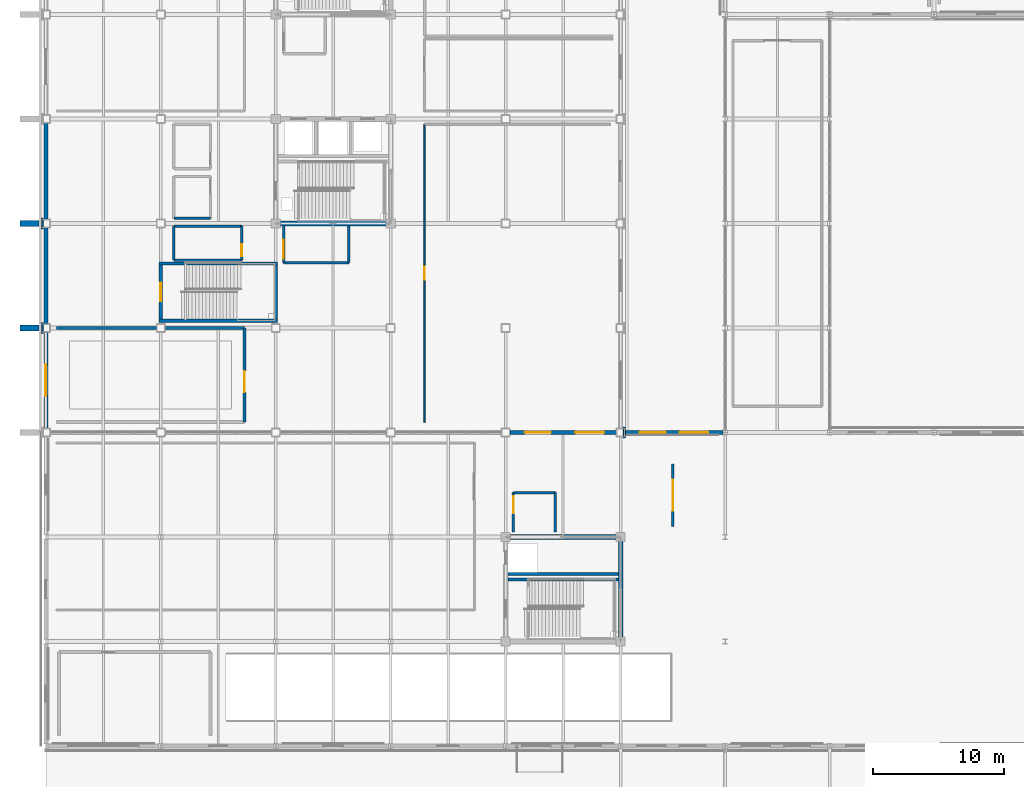
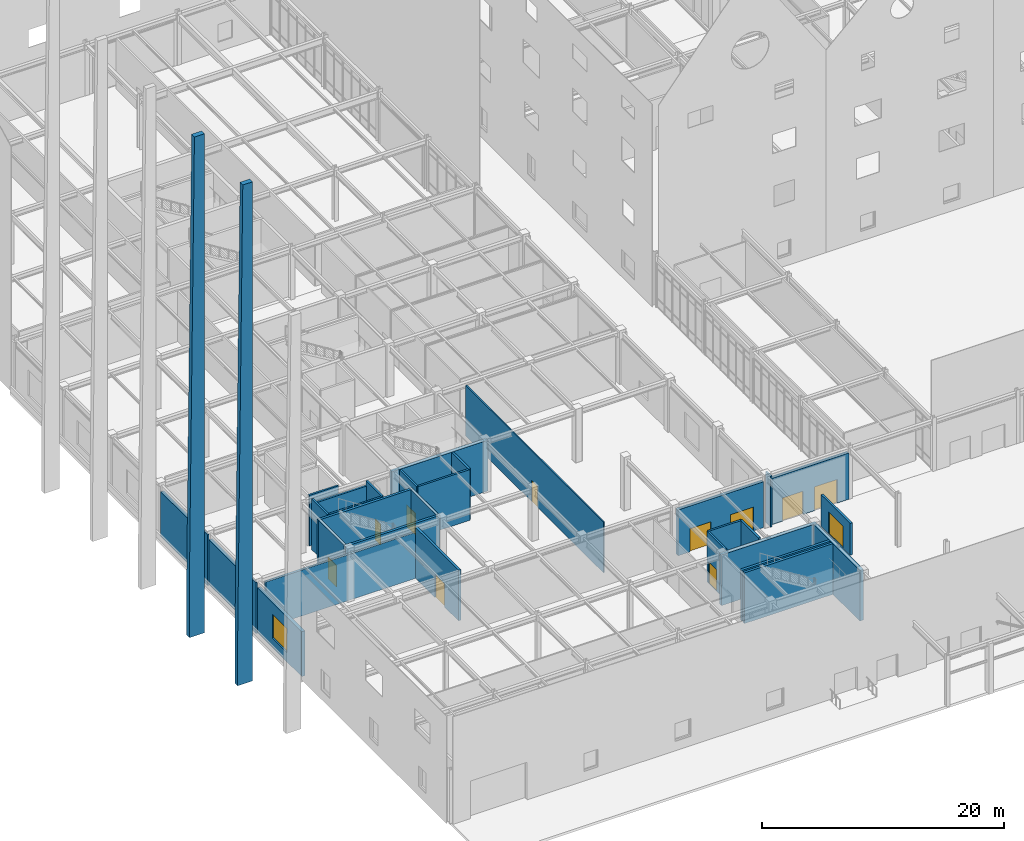
# One storey, part 86 of 119: 34 walls, 11 doors, 1 window, 12 openings.
"""IFC4 building model written with IfcOpenShell, lengths in metres."""

from ifc_helpers import new_model, si_unit, direction, frame, frame_2d, origin, place, context, subcontext, project, spatial, polyline, rectangle, outline, extrude, material, layer, layer_set, type_object, element, fill, save


model = new_model("IFC4")

# Units and contexts
model_context = context("Model", 3, precision=1e-05, world=origin(), true_north=direction((0.0, 1.0)))
body_context = subcontext(model_context, "Body", "Model", "MODEL_VIEW")
ifc_project = project(units=[si_unit("LENGTHUNIT", "METRE"), si_unit("AREAUNIT", "SQUARE_METRE"), si_unit("VOLUMEUNIT", "CUBIC_METRE"), si_unit("PLANEANGLEUNIT", "RADIAN"), si_unit("MASSUNIT", "GRAM", prefix="KILO")], contexts=[model_context])

# Site, building, storey
site_placement = place(None, origin())
site = spatial("IfcSite", under=ifc_project, at=site_placement, CompositionType="ELEMENT")
building_placement = place(site_placement, origin())
building = spatial("IfcBuilding", under=site, at=building_placement, Name="Zhaolan Boulevard Law Courts", CompositionType="ELEMENT")
storey_placement = place(building_placement, origin())
storey = spatial("IfcBuildingStorey", under=building, at=storey_placement, Name="L00", CompositionType="ELEMENT", Elevation=0.0)

# Walls
ifc_material_1 = material(Name="Concrete C50", Category="concrete")
ifc_layer_1 = layer(ifc_material_1, 0.35009765625)
ifc_layer_set_1 = layer_set([ifc_layer_1])
wall_type_1 = type_object("IfcWallType", Name="CORE SHEAR WALL 350", PredefinedType="SHEAR", material=ifc_layer_set_1)
wall_1_placement = place(storey_placement, frame((17.425048828125, 46.0, 0.0), z_axis=(0.0, 0.0, 1.0), x_axis=(1.0, 0.0, 0.0)))
element("IfcWall", 1, at=wall_1_placement, inside=storey, type_object=wall_type_1, Name="Core Shear Wall CW-W1-L00S", PredefinedType="SHEAR", context=body_context, shape_type="SweptSolid", body=[
    extrude(rectangle(XDim=9.14990234375, YDim=0.35009765625, at=frame_2d((4.574951171875, 0.0))), origin(), (0.0, 0.0, 1.0), 5.1201171875),
])
wall_2_placement = place(storey_placement, frame((44.175048828125, 22.0, 0.0), z_axis=(0.0, 0.0, 1.0), x_axis=(-1.0, 0.0, 0.0)))
element("IfcWall", 2, at=wall_2_placement, inside=storey, type_object=wall_type_1, Name="Core Shear Wall CW-P1-L00N", PredefinedType="SHEAR", context=body_context, shape_type="SweptSolid", body=[
    extrude(rectangle(XDim=9.150146484375, YDim=0.35009765625, at=frame_2d((4.5751953125, 0.0))), origin(), (0.0, 0.0, 1.0), 5.1201171875),
])
wall_3_placement = place(storey_placement, frame((44.0, 14.175048828125, 0.0), z_axis=(0.0, 0.0, 1.0), x_axis=(0.0, 1.0, 0.0)))
element("IfcWall", 3, at=wall_3_placement, inside=storey, type_object=wall_type_1, Name="Core Shear Wall CW-P1-L00E", PredefinedType="SHEAR", context=body_context, shape_type="SweptSolid", body=[
    extrude(rectangle(XDim=7.64990234375, YDim=0.35009765625, at=frame_2d((3.824951171875, 0.0))), origin(), (0.0, 0.0, 1.0), 5.1201171875),
])
ifc_material_2 = material(Name="Concrete C40", Category="concrete")
ifc_layer_2 = layer(ifc_material_2, 0.139892578125)
ifc_layer_set_2 = layer_set([ifc_layer_2])
wall_type_2 = type_object("IfcWallType", Name="EXT WALL ARCH CLAD140", PredefinedType="SOLIDWALL", material=ifc_layer_set_2)
for number, where, z_axis, x_axis, name in (
    (4, (44.280029296875, 29.580078125, 0.0), (0.0, 0.0, 1.0), (0.0, 1.0, 0.0), "Concrete Column Cloak Pier CPR-025"),
    (5, (-0.280029296875, 37.580078125, 0.0), (0.0, 0.0, 1.0), (0.0, 1.0, 0.0), "Concrete Column Cloak Pier CPR-026"),
    (6, (-0.280029296875, 45.580078125, 0.0), (0.0, 0.0, 1.0), (0.0, 1.0, 0.0), "Concrete Column Cloak Pier CPR-028"),
):
    element("IfcWall", number, at=place(storey_placement, frame(where, z_axis=z_axis, x_axis=x_axis)), inside=storey, type_object=wall_type_2, Name=name, PredefinedType="SOLIDWALL", context=body_context, shape_type="SweptSolid", body=[
        extrude(rectangle(XDim=0.83984375, YDim=0.139892578125, at=frame_2d((0.419921875, 0.0))), origin(), (0.0, 0.0, 1.0), 5.139892578125),
    ])
ifc_material_3 = material(Name="Concrete C40", Category="concrete")
ifc_layer_3 = layer(ifc_material_3, 0.4599609375)
ifc_layer_set_3 = layer_set([ifc_layer_3])
wall_type_3 = type_object("IfcWallType", Name="EXT WALL BUTTRESS460", PredefinedType="SOLIDWALL", material=ifc_layer_set_3)
for number, where, z_axis, x_axis, name in (
    (7, (-0.5400390625, 38.0, -4.800048828125), (0.0, 0.0, 1.0), (-1.0, 0.0, 0.0), "Sculpted Raked Concrete Fin SCF-216"),
    (8, (-0.5400390625, 46.0, -4.800048828125), (0.0, 0.0, 1.0), (-1.0, 0.0, 0.0), "Sculpted Raked Concrete Fin SCF-217"),
):
    element("IfcWall", number, at=place(storey_placement, frame(where, z_axis=z_axis, x_axis=x_axis)), inside=storey, type_object=wall_type_3, Name=name, PredefinedType="SOLIDWALL", context=body_context, shape_type="SweptSolid", body=[
        extrude(outline(polyline([(0.0, 0.0), (1.43994140625, 0.0), (1.43994140625, 4.800048828125), (0.949951171875, 50.400146484375), (0.0, 50.400146484375), (0.0, 0.0)])), frame((0.0, 0.22998046875, 0.0), z_axis=(0.0, -1.0, 0.0), x_axis=(1.0, 0.0, 0.0)), (0.0, 0.0, 1.0), 0.4599609375),
    ])

# Wall, openings, doors
ifc_material_4 = material(Name="Concrete C40", Category="concrete")
ifc_layer_4 = layer(ifc_material_4, 0.320068359375)
ifc_layer_set_4 = layer_set([ifc_layer_4])
wall_type_4 = type_object("IfcWallType", Name="EXT WALL CONCRETE320", PredefinedType="SOLIDWALL", material=ifc_layer_set_4)
wall_4_placement = place(storey_placement, frame((43.678955078125, 30.0, 0.0), z_axis=(0.0, 0.0, 1.0), x_axis=(-1.0, 0.0, 0.0)))
wall_4 = element("IfcWall", 9, at=wall_4_placement, inside=storey, type_object=wall_type_4, Name="Exterior Wall EW-L00-135", PredefinedType="SOLIDWALL", context=body_context, shape_type="SweptSolid", body=[
    extrude(rectangle(XDim=8.157958984375, YDim=0.320068359375, at=frame_2d((4.0791015625, 0.0))), origin(), (0.0, 0.0, 1.0), 4.635009765625),
])
opening_1_placement = place(wall_4_placement, frame((0.948974609375, 0.0, 0.0)))
opening_1 = element("IfcOpeningElement", 10, at=opening_1_placement, cuts=wall_4, Name="Opening ED-15", PredefinedType="OPENING", context=body_context, shape_type="SweptSolid", body=[
    extrude(rectangle(XDim=2.199951171875, YDim=2.39990234375, at=frame_2d((1.10009765625, 1.199951171875))), frame((0.0, 0.169921875, 0.0), z_axis=(0.0, -1.0, 0.0), x_axis=(1.0, 0.0, 0.0)), (0.0, 0.0, 1.0), 0.340087890625),
])
opening_2_placement = place(wall_4_placement, frame((5.009033203125, 0.0, 0.0)))
opening_2 = element("IfcOpeningElement", 11, at=opening_2_placement, cuts=wall_4, Name="Opening ED-16", PredefinedType="OPENING", context=body_context, shape_type="SweptSolid", body=[
    extrude(rectangle(XDim=2.0, YDim=2.35009765625, at=frame_2d((1.0, 1.175048828125))), frame((0.0, 0.169921875, 0.0), z_axis=(0.0, -1.0, 0.0), x_axis=(1.0, 0.0, 0.0)), (0.0, 0.0, 1.0), 0.340087890625),
])
ifc_material_5 = material(Name="Insulated powder-coated steel and safety glass", Category="steel")
door_type_1 = type_object("IfcDoorType", Name="EXIT DOOR 2000X2350 R", OperationType="DOUBLE_DOOR_SINGLE_SWING", PredefinedType="DOOR", material=ifc_material_5)
door_1_placement = place(opening_2_placement, origin())
door_1 = element("IfcDoor", 12, at=door_1_placement, inside=storey, type_object=door_type_1, Name="Pedestrian Final Exit Door ED-16", OperationType="DOUBLE_DOOR_SINGLE_SWING", OverallHeight=2.35009765625, OverallWidth=2.0, PredefinedType="DOOR", context=body_context, shape_type="SweptSolid", body=[
    extrude(rectangle(XDim=2.0, YDim=2.35009765625, at=frame_2d((1.0, 1.175048828125))), frame((0.0, 0.02490234375, 0.0), z_axis=(0.0, -1.0, 0.0), x_axis=(1.0, 0.0, 0.0)), (0.0, 0.0, 1.0), 0.050048828125),
])
fill(opening_2, door_1)
ifc_material_6 = material(Name="Insulated powder-coated steel and safety glass", Category="steel")
door_type_2 = type_object("IfcDoorType", Name="EXIT DOOR 2200X2400 L", OperationType="DOUBLE_DOOR_SINGLE_SWING", PredefinedType="DOOR", material=ifc_material_6)
door_2_placement = place(opening_1_placement, origin())
door_2 = element("IfcDoor", 13, at=door_2_placement, inside=storey, type_object=door_type_2, Name="Pedestrian Final Exit Door ED-15", OperationType="DOUBLE_DOOR_SINGLE_SWING", OverallHeight=2.39990234375, OverallWidth=2.199951171875, PredefinedType="DOOR", context=body_context, shape_type="SweptSolid", body=[
    extrude(rectangle(XDim=2.199951171875, YDim=2.39990234375, at=frame_2d((1.10009765625, 1.199951171875))), frame((0.0, 0.02490234375, 0.0), z_axis=(0.0, -1.0, 0.0), x_axis=(1.0, 0.0, 0.0)), (0.0, 0.0, 1.0), 0.050048828125),
])
fill(opening_1, door_2)

wall_5_placement = place(storey_placement, frame((51.8291015625, 30.0, 0.0), z_axis=(0.0, 0.0, 1.0), x_axis=(-1.0, 0.0, 0.0)))
wall_5 = element("IfcWall", 14, at=wall_5_placement, inside=storey, type_object=wall_type_4, Name="Exterior Wall EW-L00-136", PredefinedType="SOLIDWALL", context=body_context, shape_type="SweptSolid", body=[
    extrude(rectangle(XDim=7.508056640625, YDim=0.320068359375, at=frame_2d((3.75390625, 0.0))), origin(), (0.0, 0.0, 1.0), 4.68310546875),
])
opening_3_placement = place(wall_5_placement, frame((1.09912109375, 0.0, 0.0)))
opening_3 = element("IfcOpeningElement", 15, at=opening_3_placement, cuts=wall_5, Name="Opening ED-17", PredefinedType="OPENING", context=body_context, shape_type="SweptSolid", body=[
    extrude(rectangle(XDim=2.199951171875, YDim=2.39990234375, at=frame_2d((1.10009765625, 1.199951171875))), frame((0.0, 0.169921875, 0.0), z_axis=(0.0, -1.0, 0.0), x_axis=(1.0, 0.0, 0.0)), (0.0, 0.0, 1.0), 0.340087890625),
])
opening_4_placement = place(wall_5_placement, frame((4.35888671875, 0.0, 0.0)))
opening_4 = element("IfcOpeningElement", 16, at=opening_4_placement, cuts=wall_5, Name="Opening ED-18", PredefinedType="OPENING", context=body_context, shape_type="SweptSolid", body=[
    extrude(rectangle(XDim=2.0, YDim=2.35009765625, at=frame_2d((1.0, 1.175048828125))), frame((0.0, 0.169921875, 0.0), z_axis=(0.0, -1.0, 0.0), x_axis=(1.0, 0.0, 0.0)), (0.0, 0.0, 1.0), 0.340087890625),
])
door_3_placement = place(opening_4_placement, origin())
door_3 = element("IfcDoor", 17, at=door_3_placement, inside=storey, type_object=door_type_1, Name="Pedestrian Final Exit Door ED-18", OperationType="DOUBLE_DOOR_SINGLE_SWING", OverallHeight=2.35009765625, OverallWidth=2.0, PredefinedType="DOOR", context=body_context, shape_type="SweptSolid", body=[
    extrude(rectangle(XDim=2.0, YDim=2.35009765625, at=frame_2d((1.0, 1.175048828125))), frame((0.0, 0.02490234375, 0.0), z_axis=(0.0, -1.0, 0.0), x_axis=(1.0, 0.0, 0.0)), (0.0, 0.0, 1.0), 0.050048828125),
])
fill(opening_4, door_3)
door_4_placement = place(opening_3_placement, origin())
door_4 = element("IfcDoor", 18, at=door_4_placement, inside=storey, type_object=door_type_2, Name="Pedestrian Final Exit Door ED-17", OperationType="DOUBLE_DOOR_SINGLE_SWING", OverallHeight=2.39990234375, OverallWidth=2.199951171875, PredefinedType="DOOR", context=body_context, shape_type="SweptSolid", body=[
    extrude(rectangle(XDim=2.199951171875, YDim=2.39990234375, at=frame_2d((1.10009765625, 1.199951171875))), frame((0.0, 0.02490234375, 0.0), z_axis=(0.0, -1.0, 0.0), x_axis=(1.0, 0.0, 0.0)), (0.0, 0.0, 1.0), 0.050048828125),
])
fill(opening_3, door_4)

# Wall, opening, window
wall_6_placement = place(storey_placement, frame((0.0, 37.678955078125, 0.0), z_axis=(0.0, 0.0, 1.0), x_axis=(0.0, -1.0, 0.0)))
wall_6 = element("IfcWall", 19, at=wall_6_placement, inside=storey, type_object=wall_type_4, Name="Exterior Wall EW-L00-365", PredefinedType="SOLIDWALL", context=body_context, shape_type="SweptSolid", body=[
    extrude(rectangle(XDim=7.35791015625, YDim=0.320068359375, at=frame_2d((3.678955078125, 0.0))), origin(), (0.0, 0.0, 1.0), 4.52294921875),
])
opening_5_placement = place(wall_6_placement, frame((2.47900390625, 0.0, 0.949951171875)))
opening_5 = element("IfcOpeningElement", 20, at=opening_5_placement, cuts=wall_6, Name="Opening WIN-L00-218", PredefinedType="OPENING", context=body_context, shape_type="SweptSolid", body=[
    extrude(rectangle(XDim=2.39990234375, YDim=2.39990234375, at=frame_2d((1.199951171875, 1.199951171875))), frame((0.0, 0.169921875, 0.0), z_axis=(0.0, -1.0, 0.0), x_axis=(1.0, 0.0, 0.0)), (0.0, 0.0, 1.0), 0.340087890625),
])
ifc_material_7 = material(Name="Thermally broken aluminium and low-E glazing", Category="aluminium")
window_type = type_object("IfcWindowType", Name="WINDOW 2400X2400", PartitioningType="DOUBLE_PANEL_VERTICAL", PredefinedType="WINDOW", material=ifc_material_7)
window_placement = place(opening_5_placement, origin())
window = element("IfcWindow", 21, at=window_placement, inside=storey, type_object=window_type, Name="Exterior Window WIN-L00-218", OverallHeight=2.39990234375, OverallWidth=2.39990234375, PartitioningType="SINGLE_PANEL", PredefinedType="WINDOW", context=body_context, shape_type="SweptSolid", body=[
    extrude(rectangle(XDim=2.39990234375, YDim=2.39990234375, at=frame_2d((1.199951171875, 1.199951171875))), frame((0.0, 0.030029296875, 0.0), z_axis=(0.0, -1.0, 0.0), x_axis=(1.0, 0.0, 0.0)), (0.0, 0.0, 1.0), 0.06005859375),
])
fill(opening_5, window)

# Walls
for number, where, z_axis, x_axis, name in (
    (22, (0.0, 45.678955078125, 0.0), (0.0, 0.0, 1.0), (0.0, -1.0, 0.0), "Exterior Wall EW-L00-366"),
    (23, (0.0, 53.678955078125, 0.0), (0.0, 0.0, 1.0), (0.0, -1.0, 0.0), "Exterior Wall EW-L00-367"),
):
    element("IfcWall", number, at=place(storey_placement, frame(where, z_axis=z_axis, x_axis=x_axis)), inside=storey, type_object=wall_type_4, Name=name, PredefinedType="SOLIDWALL", context=body_context, shape_type="SweptSolid", body=[
        extrude(rectangle(XDim=7.35791015625, YDim=0.320068359375, at=frame_2d((3.678955078125, 0.0))), origin(), (0.0, 0.0, 1.0), 4.52294921875),
    ])
ifc_material_8 = material(Name="Concrete C50", Category="concrete")
ifc_layer_5 = layer(ifc_material_8, 0.239990234375)
ifc_layer_set_5 = layer_set([ifc_layer_5])
wall_type_5 = type_object("IfcWallType", Name="LIFT SHAFT WALL 240", PredefinedType="SHEAR", material=ifc_layer_set_5)
wall_7_placement = place(storey_placement, frame((35.375, 19.179931640625, 0.0), z_axis=(0.0, 0.0, 1.0), x_axis=(1.0, 0.0, 0.0)))
element("IfcWall", 24, at=wall_7_placement, inside=storey, type_object=wall_type_5, Name="Lift Shaft Enclosure Wall P1 (L00)", PredefinedType="SHEAR", context=body_context, shape_type="SweptSolid", body=[
    extrude(rectangle(XDim=8.449951171875, YDim=0.239990234375, at=frame_2d((4.22509765625, 0.0))), origin(), (0.0, 0.0, 1.0), 5.1201171875),
])
ifc_material_9 = material(Name="Acoustic gypsum and mineral-wool stud")
ifc_layer_6 = layer(ifc_material_9, 0.18994140625)
ifc_layer_set_6 = layer_set([ifc_layer_6])
wall_type_6 = type_object("IfcWallType", Name="PART WALL ACOUST190", PredefinedType="PARTITIONING", material=ifc_layer_set_6)
wall_8_placement = place(storey_placement, frame((18.199951171875, 43.0, 0.0), z_axis=(0.0, 0.0, 1.0), x_axis=(1.0, 0.0, 0.0)))
element("IfcWall", 25, at=wall_8_placement, inside=storey, type_object=wall_type_6, Name="Interior Partition PW-L00-007", PredefinedType="PARTITIONING", context=body_context, shape_type="SweptSolid", body=[
    extrude(rectangle(XDim=5.0, YDim=0.18994140625, at=frame_2d((2.5, 0.0))), origin(), (0.0, 0.0, 1.0), 5.1201171875),
])

# Wall, opening, door
wall_9_placement = place(storey_placement, frame((18.199951171875, 45.800048828125, 0.0), z_axis=(0.0, 0.0, 1.0), x_axis=(0.0, -1.0, 0.0)))
wall_9 = element("IfcWall", 26, at=wall_9_placement, inside=storey, type_object=wall_type_6, Name="Interior Partition PW-L00-008", PredefinedType="PARTITIONING", context=body_context, shape_type="SweptSolid", body=[
    extrude(rectangle(XDim=2.800048828125, YDim=0.18994140625, at=frame_2d((1.39990234375, 0.0))), origin(), (0.0, 0.0, 1.0), 5.1201171875),
])
opening_6_placement = place(wall_9_placement, frame((1.050048828125, 0.0, 0.0)))
opening_6 = element("IfcOpeningElement", 27, at=opening_6_placement, cuts=wall_9, Name="Opening FD-L00-003", PredefinedType="OPENING", context=body_context, shape_type="SweptSolid", body=[
    extrude(rectangle(XDim=1.449951171875, YDim=2.199951171875, at=frame_2d((0.72509765625, 1.10009765625))), frame((0.0, 0.10498046875, 0.0), z_axis=(0.0, -1.0, 0.0), x_axis=(1.0, 0.0, 0.0)), (0.0, 0.0, 1.0), 0.2099609375),
])
ifc_material_10 = material(Name="Fire-rated steel acoustic door", Category="steel")
door_type_3 = type_object("IfcDoorType", Name="LOBBY FIRE 1450X2200 L", OperationType="SINGLE_SWING_LEFT", PredefinedType="DOOR", material=ifc_material_10)
door_5_placement = place(opening_6_placement, origin())
door_5 = element("IfcDoor", 28, at=door_5_placement, inside=storey, type_object=door_type_3, Name="Door FD-L00-003 (Lobby Firefighting Lift L00-W1)", OperationType="SINGLE_SWING_LEFT", OverallHeight=2.199951171875, OverallWidth=1.449951171875, PredefinedType="DOOR", context=body_context, shape_type="SweptSolid", body=[
    extrude(rectangle(XDim=1.449951171875, YDim=2.199951171875, at=frame_2d((0.72509765625, 1.10009765625))), frame((0.0, 0.02490234375, 0.0), z_axis=(0.0, -1.0, 0.0), x_axis=(1.0, 0.0, 0.0)), (0.0, 0.0, 1.0), 0.050048828125),
])
fill(opening_6, door_5)

# Walls
wall_10_placement = place(storey_placement, frame((23.199951171875, 43.0, 0.0), z_axis=(0.0, 0.0, 1.0), x_axis=(0.0, 1.0, 0.0)))
element("IfcWall", 29, at=wall_10_placement, inside=storey, type_object=wall_type_6, Name="Interior Partition PW-L00-009", PredefinedType="PARTITIONING", context=body_context, shape_type="SweptSolid", body=[
    extrude(rectangle(XDim=2.800048828125, YDim=0.18994140625, at=frame_2d((1.39990234375, 0.0))), origin(), (0.0, 0.0, 1.0), 5.1201171875),
])
wall_11_placement = place(storey_placement, frame((39.0, 25.39990234375, 0.0), z_axis=(0.0, 0.0, 1.0), x_axis=(-1.0, 0.0, 0.0)))
element("IfcWall", 30, at=wall_11_placement, inside=storey, type_object=wall_type_6, Name="Interior Partition PW-L00-070", PredefinedType="PARTITIONING", context=body_context, shape_type="SweptSolid", body=[
    extrude(rectangle(XDim=3.199951171875, YDim=0.18994140625, at=frame_2d((1.60009765625, 0.0))), origin(), (0.0, 0.0, 1.0), 5.1201171875),
])

# Wall, opening, door
wall_12_placement = place(storey_placement, frame((35.800048828125, 25.39990234375, 0.0), z_axis=(0.0, 0.0, 1.0), x_axis=(0.0, -1.0, 0.0)))
wall_12 = element("IfcWall", 31, at=wall_12_placement, inside=storey, type_object=wall_type_6, Name="Interior Partition PW-L00-071", PredefinedType="PARTITIONING", context=body_context, shape_type="SweptSolid", body=[
    extrude(rectangle(XDim=3.0, YDim=0.18994140625, at=frame_2d((1.5, 0.0))), origin(), (0.0, 0.0, 1.0), 5.1201171875),
])
opening_7_placement = place(wall_12_placement, frame((0.300048828125, 0.0, 0.0)))
opening_7 = element("IfcOpeningElement", 32, at=opening_7_placement, cuts=wall_12, Name="Opening FD-L00-024", PredefinedType="OPENING", context=body_context, shape_type="SweptSolid", body=[
    extrude(rectangle(XDim=1.300048828125, YDim=2.199951171875, at=frame_2d((0.64990234375, 1.10009765625))), frame((0.0, 0.10498046875, 0.0), z_axis=(0.0, -1.0, 0.0), x_axis=(1.0, 0.0, 0.0)), (0.0, 0.0, 1.0), 0.2099609375),
])
ifc_material_11 = material(Name="Fire-rated steel acoustic door", Category="steel")
door_type_4 = type_object("IfcDoorType", Name="LOBBY FIRE 1300X2200 R", OperationType="SINGLE_SWING_RIGHT", PredefinedType="DOOR", material=ifc_material_11)
door_6_placement = place(opening_7_placement, origin())
door_6 = element("IfcDoor", 33, at=door_6_placement, inside=storey, type_object=door_type_4, Name="Door FD-L00-024 (Lobby Firefighting Lift L00-P1)", OperationType="SINGLE_SWING_RIGHT", OverallHeight=2.199951171875, OverallWidth=1.300048828125, PredefinedType="DOOR", context=body_context, shape_type="SweptSolid", body=[
    extrude(rectangle(XDim=1.300048828125, YDim=2.199951171875, at=frame_2d((0.64990234375, 1.10009765625))), frame((0.0, 0.02490234375, 0.0), z_axis=(0.0, -1.0, 0.0), x_axis=(1.0, 0.0, 0.0)), (0.0, 0.0, 1.0), 0.050048828125),
])
fill(opening_7, door_6)

# Walls
wall_13_placement = place(storey_placement, frame((39.0, 22.39990234375, 0.0), z_axis=(0.0, 0.0, 1.0), x_axis=(0.0, 1.0, 0.0)))
element("IfcWall", 34, at=wall_13_placement, inside=storey, type_object=wall_type_6, Name="Interior Partition PW-L00-072", PredefinedType="PARTITIONING", context=body_context, shape_type="SweptSolid", body=[
    extrude(rectangle(XDim=3.0, YDim=0.18994140625, at=frame_2d((1.5, 0.0))), origin(), (0.0, 0.0, 1.0), 5.1201171875),
])
ifc_material_12 = material(Name="Concrete C40", Category="concrete")
ifc_layer_7 = layer(ifc_material_12, 0.219970703125)
ifc_layer_set_7 = layer_set([ifc_layer_7])
wall_type_7 = type_object("IfcWallType", Name="PART WALL COURT220", PredefinedType="PARTITIONING", material=ifc_layer_set_7)
wall_14_placement = place(storey_placement, frame((15.199951171875, 38.0, 0.0), z_axis=(0.0, 0.0, 1.0), x_axis=(-1.0, 0.0, 0.0)))
element("IfcWall", 35, at=wall_14_placement, inside=storey, type_object=wall_type_7, Name="Interior Partition PW-L00-304", PredefinedType="PARTITIONING", context=body_context, shape_type="SweptSolid", body=[
    extrude(rectangle(XDim=14.39990234375, YDim=0.219970703125, at=frame_2d((7.199951171875, 0.0))), origin(), (0.0, 0.0, 1.0), 4.637939453125),
])

# Wall, opening, door
wall_15_placement = place(storey_placement, frame((15.199951171875, 30.800048828125, 0.0), z_axis=(0.0, 0.0, 1.0), x_axis=(0.0, 1.0, 0.0)))
wall_15 = element("IfcWall", 36, at=wall_15_placement, inside=storey, type_object=wall_type_7, Name="Interior Partition PW-L00-305", PredefinedType="PARTITIONING", context=body_context, shape_type="SweptSolid", body=[
    extrude(rectangle(XDim=7.199951171875, YDim=0.219970703125, at=frame_2d((3.60009765625, 0.0))), origin(), (0.0, 0.0, 1.0), 5.1201171875),
])
opening_8_placement = place(wall_15_placement, frame((2.300048828125, 0.0, 0.0)))
opening_8 = element("IfcOpeningElement", 37, at=opening_8_placement, cuts=wall_15, Name="Opening ID-L00-094", PredefinedType="OPENING", context=body_context, shape_type="SweptSolid", body=[
    extrude(rectangle(XDim=1.60009765625, YDim=2.35009765625, at=frame_2d((0.800048828125, 1.175048828125))), frame((0.0, 0.119873046875, 0.0), z_axis=(0.0, -1.0, 0.0), x_axis=(1.0, 0.0, 0.0)), (0.0, 0.0, 1.0), 0.239990234375),
])
ifc_material_13 = material(Name="Solid-core acoustic oak veneer door")
door_type_5 = type_object("IfcDoorType", Name="COURT DOUBLE 1600X2350", OperationType="DOUBLE_DOOR_SINGLE_SWING", PredefinedType="DOOR", material=ifc_material_13)
door_7_placement = place(opening_8_placement, origin())
door_7 = element("IfcDoor", 38, at=door_7_placement, inside=storey, type_object=door_type_5, Name="Door ID-L00-094 (Summary Civil Courtroom L00)", OperationType="DOUBLE_DOOR_SINGLE_SWING", OverallHeight=2.35009765625, OverallWidth=1.60009765625, PredefinedType="DOOR", context=body_context, shape_type="SweptSolid", body=[
    extrude(rectangle(XDim=1.60009765625, YDim=2.35009765625, at=frame_2d((0.800048828125, 1.175048828125))), frame((0.0, 0.02490234375, 0.0), z_axis=(0.0, -1.0, 0.0), x_axis=(1.0, 0.0, 0.0)), (0.0, 0.0, 1.0), 0.050048828125),
])
fill(opening_8, door_7)

ifc_material_14 = material(Name="Concrete C40", Category="concrete")
ifc_layer_8 = layer(ifc_material_14, 0.2099609375)
ifc_layer_set_8 = layer_set([ifc_layer_8])
wall_type_8 = type_object("IfcWallType", Name="PART WALL CUSTODY210", PredefinedType="PARTITIONING", material=ifc_layer_set_8)
wall_16_placement = place(storey_placement, frame((48.0, 22.800048828125, 0.0), z_axis=(0.0, 0.0, 1.0), x_axis=(0.0, 1.0, 0.0)))
wall_16 = element("IfcWall", 39, at=wall_16_placement, inside=storey, type_object=wall_type_8, Name="Security Portal Wall GW-SEC1", PredefinedType="PARTITIONING", context=body_context, shape_type="SweptSolid", body=[
    extrude(rectangle(XDim=4.800048828125, YDim=0.2099609375, at=frame_2d((2.39990234375, 0.0))), origin(), (0.0, 0.0, 1.0), 3.199951171875),
])
opening_9_placement = place(wall_16_placement, frame((1.199951171875, 0.0, 0.0)))
opening_9 = element("IfcOpeningElement", 40, at=opening_9_placement, cuts=wall_16, Name="Opening SG-01", PredefinedType="OPENING", context=body_context, shape_type="SweptSolid", body=[
    extrude(rectangle(XDim=2.39990234375, YDim=2.199951171875, at=frame_2d((1.199951171875, 1.10009765625))), frame((0.0, 0.114990234375, 0.0), z_axis=(0.0, -1.0, 0.0), x_axis=(1.0, 0.0, 0.0)), (0.0, 0.0, 1.0), 0.22998046875),
])
ifc_material_15 = material(Name="Fire-rated steel acoustic door", Category="steel")
door_type_6 = type_object("IfcDoorType", Name="SECURITY GATE 2400X2200", OperationType="DOUBLE_DOOR_SLIDING", PredefinedType="GATE", material=ifc_material_15)
door_8_placement = place(opening_9_placement, origin())
door_8 = element("IfcDoor", 41, at=door_8_placement, inside=storey, type_object=door_type_6, Name="Judicial Security Sliding Gate SG-01", OperationType="DOUBLE_DOOR_SLIDING", OverallHeight=2.199951171875, OverallWidth=2.39990234375, PredefinedType="GATE", context=body_context, shape_type="SweptSolid", body=[
    extrude(rectangle(XDim=2.39990234375, YDim=2.199951171875, at=frame_2d((1.199951171875, 1.10009765625))), frame((0.0, 0.02490234375, 0.0), z_axis=(0.0, -1.0, 0.0), x_axis=(1.0, 0.0, 0.0)), (0.0, 0.0, 1.0), 0.050048828125),
])
fill(opening_9, door_8)

ifc_material_16 = material(Name="Gypsum board stud partition")
ifc_layer_9 = layer(ifc_material_16, 0.1201171875)
ifc_layer_set_9 = layer_set([ifc_layer_9])
wall_type_9 = type_object("IfcWallType", Name="PART WALL LIGHT120", PredefinedType="PARTITIONING", material=ifc_layer_set_9)
wall_17_placement = place(storey_placement, frame((29.0, 53.60009765625, 0.0), z_axis=(0.0, 0.0, 1.0), x_axis=(0.0, -1.0, 0.0)))
wall_17 = element("IfcWall", 42, at=wall_17_placement, inside=storey, type_object=wall_type_9, Name="Interior Partition PW-L00-749", PredefinedType="PARTITIONING", context=body_context, shape_type="SweptSolid", body=[
    extrude(rectangle(XDim=22.800048828125, YDim=0.1201171875, at=frame_2d((11.39990234375, 0.0))), origin(), (0.0, 0.0, 1.0), 5.1201171875),
])
opening_10_placement = place(wall_17_placement, frame((10.89990234375, 0.0, 0.0)))
opening_10 = element("IfcOpeningElement", 43, at=opening_10_placement, cuts=wall_17, Name="Opening JD-L00-234", PredefinedType="OPENING", context=body_context, shape_type="SweptSolid", body=[
    extrude(rectangle(XDim=1.0, YDim=2.14990234375, at=frame_2d((0.5, 1.074951171875))), frame((0.0, 0.070068359375, 0.0), z_axis=(0.0, -1.0, 0.0), x_axis=(1.0, 0.0, 0.0)), (0.0, 0.0, 1.0), 0.14013671875),
])
ifc_material_17 = material(Name="Solid-core acoustic oak veneer door")
door_type_7 = type_object("IfcDoorType", Name="CHAMBER DOOR 1000X2150 L", OperationType="SINGLE_SWING_LEFT", PredefinedType="DOOR", material=ifc_material_17)
door_9_placement = place(opening_10_placement, origin())
door_9 = element("IfcDoor", 44, at=door_9_placement, inside=storey, type_object=door_type_7, Name="Door JD-L00-234 (Judicial Clerkship Office L00)", OperationType="SINGLE_SWING_LEFT", OverallHeight=2.14990234375, OverallWidth=1.0, PredefinedType="DOOR", context=body_context, shape_type="SweptSolid", body=[
    extrude(rectangle(XDim=1.0, YDim=2.14990234375, at=frame_2d((0.5, 1.074951171875))), frame((0.0, 0.02490234375, 0.0), z_axis=(0.0, -1.0, 0.0), x_axis=(1.0, 0.0, 0.0)), (0.0, 0.0, 1.0), 0.050048828125),
])
fill(opening_10, door_9)

# Walls
ifc_material_18 = material(Name="Moisture-resistant masonry chase wall", Category="masonry")
ifc_layer_10 = layer(ifc_material_18, 0.179931640625)
ifc_layer_set_10 = layer_set([ifc_layer_10])
wall_type_10 = type_object("IfcWallType", Name="PLUMB WALL 180", PredefinedType="PLUMBINGWALL", material=ifc_layer_set_10)
wall_18_placement = place(storey_placement, frame((9.800048828125, 46.39990234375, 0.0), z_axis=(0.0, 0.0, 1.0), x_axis=(1.0, 0.0, 0.0)))
element("IfcWall", 45, at=wall_18_placement, inside=storey, type_object=wall_type_10, Name="Interior Partition PW-L00-091", PredefinedType="PLUMBINGWALL", context=body_context, shape_type="SweptSolid", body=[
    extrude(rectangle(XDim=2.800048828125, YDim=0.179931640625, at=frame_2d((1.39990234375, 0.0))), origin(), (0.0, 0.0, 1.0), 5.1201171875),
])
wall_19_placement = place(storey_placement, frame((9.800048828125, 43.199951171875, 0.0), z_axis=(0.0, 0.0, 1.0), x_axis=(1.0, 0.0, 0.0)))
element("IfcWall", 46, at=wall_19_placement, inside=storey, type_object=wall_type_10, Name="Interior Partition PW-L00-099", PredefinedType="PLUMBINGWALL", context=body_context, shape_type="SweptSolid", body=[
    extrude(rectangle(XDim=5.199951171875, YDim=0.179931640625, at=frame_2d((2.60009765625, 0.0))), origin(), (0.0, 0.0, 1.0), 5.1201171875),
])
wall_20_placement = place(storey_placement, frame((15.0, 45.800048828125, 0.0), z_axis=(0.0, 0.0, 1.0), x_axis=(-1.0, 0.0, 0.0)))
element("IfcWall", 47, at=wall_20_placement, inside=storey, type_object=wall_type_10, Name="Interior Partition PW-L00-100", PredefinedType="PLUMBINGWALL", context=body_context, shape_type="SweptSolid", body=[
    extrude(rectangle(XDim=5.199951171875, YDim=0.179931640625, at=frame_2d((2.60009765625, 0.0))), origin(), (0.0, 0.0, 1.0), 4.637939453125),
])
wall_21_placement = place(storey_placement, frame((9.800048828125, 45.800048828125, 0.0), z_axis=(0.0, 0.0, 1.0), x_axis=(0.0, -1.0, 0.0)))
element("IfcWall", 48, at=wall_21_placement, inside=storey, type_object=wall_type_10, Name="Interior Partition PW-L00-101", PredefinedType="PLUMBINGWALL", context=body_context, shape_type="SweptSolid", body=[
    extrude(rectangle(XDim=2.60009765625, YDim=0.179931640625, at=frame_2d((1.300048828125, 0.0))), origin(), (0.0, 0.0, 1.0), 5.1201171875),
])

# Wall, opening, door
wall_22_placement = place(storey_placement, frame((15.0, 43.199951171875, 0.0), z_axis=(0.0, 0.0, 1.0), x_axis=(0.0, 1.0, 0.0)))
wall_22 = element("IfcWall", 49, at=wall_22_placement, inside=storey, type_object=wall_type_10, Name="Interior Partition PW-L00-102", PredefinedType="PLUMBINGWALL", context=body_context, shape_type="SweptSolid", body=[
    extrude(rectangle(XDim=2.60009765625, YDim=0.179931640625, at=frame_2d((1.300048828125, 0.0))), origin(), (0.0, 0.0, 1.0), 5.1201171875),
])
opening_11_placement = place(wall_22_placement, frame((0.300048828125, 0.0, 0.0)))
opening_11 = element("IfcOpeningElement", 50, at=opening_11_placement, cuts=wall_22, Name="Opening WD-L00-033", PredefinedType="OPENING", context=body_context, shape_type="SweptSolid", body=[
    extrude(rectangle(XDim=0.919921875, YDim=2.10009765625, at=frame_2d((0.4599609375, 1.050048828125))), frame((0.0, 0.099853515625, 0.0), z_axis=(0.0, -1.0, 0.0), x_axis=(1.0, 0.0, 0.0)), (0.0, 0.0, 1.0), 0.199951171875),
])
ifc_material_19 = material(Name="Solid-core acoustic oak veneer door")
door_type_8 = type_object("IfcDoorType", Name="WCDOOR PUB 920X2100 R", OperationType="SINGLE_SWING_RIGHT", PredefinedType="DOOR", material=ifc_material_19)
door_10_placement = place(opening_11_placement, origin())
door_10 = element("IfcDoor", 51, at=door_10_placement, inside=storey, type_object=door_type_8, Name="Door WD-L00-033 (WC Public Female L00)", OperationType="SINGLE_SWING_RIGHT", OverallHeight=2.10009765625, OverallWidth=0.919921875, PredefinedType="DOOR", context=body_context, shape_type="SweptSolid", body=[
    extrude(rectangle(XDim=0.919921875, YDim=2.10009765625, at=frame_2d((0.4599609375, 1.050048828125))), frame((0.0, 0.02490234375, 0.0), z_axis=(0.0, -1.0, 0.0), x_axis=(1.0, 0.0, 0.0)), (0.0, 0.0, 1.0), 0.050048828125),
])
fill(opening_11, door_10)

# Walls
ifc_material_20 = material(Name="Concrete C50", Category="concrete")
ifc_layer_11 = layer(ifc_material_20, 0.239990234375)
ifc_layer_set_11 = layer_set([ifc_layer_11])
wall_type_11 = type_object("IfcWallType", Name="STAIR WELL WALL 240", PredefinedType="SHEAR", material=ifc_layer_set_11)
for number, where, z_axis, x_axis, name in (
    (52, (8.679931640625, 38.550048828125, 0.0), (0.0, 0.0, 1.0), (1.0, 0.0, 0.0), "Stairwell Shear Wall ST03-L00S"),
    (53, (17.719970703125, 42.949951171875, 0.0), (0.0, 0.0, 1.0), (-1.0, 0.0, 0.0), "Stairwell Shear Wall ST03-L00N"),
):
    element("IfcWall", number, at=place(storey_placement, frame(where, z_axis=z_axis, x_axis=x_axis)), inside=storey, type_object=wall_type_11, Name=name, PredefinedType="SHEAR", context=body_context, shape_type="SweptSolid", body=[
        extrude(rectangle(XDim=9.0400390625, YDim=0.239990234375, at=frame_2d((4.52001953125, 0.0))), origin(), (0.0, 0.0, 1.0), 5.1201171875),
    ])

# Wall, opening, door
wall_23_placement = place(storey_placement, frame((8.800048828125, 38.669921875, 0.0), z_axis=(0.0, 0.0, 1.0), x_axis=(0.0, 1.0, 0.0)))
wall_23 = element("IfcWall", 54, at=wall_23_placement, inside=storey, type_object=wall_type_11, Name="Stairwell Shear Wall ST03-L00W", PredefinedType="SHEAR", context=body_context, shape_type="SweptSolid", body=[
    extrude(rectangle(XDim=4.16015625, YDim=0.239990234375, at=frame_2d((2.080078125, 0.0))), origin(), (0.0, 0.0, 1.0), 5.1201171875),
])
opening_12_placement = place(wall_23_placement, frame((1.3798828125, 0.0, 0.0)))
opening_12 = element("IfcOpeningElement", 55, at=opening_12_placement, cuts=wall_23, Name="Opening SD-L00-47", PredefinedType="OPENING", context=body_context, shape_type="SweptSolid", body=[
    extrude(rectangle(XDim=1.39990234375, YDim=2.199951171875, at=frame_2d((0.699951171875, 1.10009765625))), frame((0.0, 0.1298828125, 0.0), z_axis=(0.0, -1.0, 0.0), x_axis=(1.0, 0.0, 0.0)), (0.0, 0.0, 1.0), 0.260009765625),
])
ifc_material_21 = material(Name="Fire-rated steel acoustic door", Category="steel")
door_type_9 = type_object("IfcDoorType", Name="STAIR FIRE 1400X2200 L", OperationType="SINGLE_SWING_LEFT", PredefinedType="DOOR", material=ifc_material_21)
door_11_placement = place(opening_12_placement, origin())
door_11 = element("IfcDoor", 56, at=door_11_placement, inside=storey, type_object=door_type_9, Name="Smoke-Proof Stairwell Fire Door SD-L00-47", OperationType="SINGLE_SWING_LEFT", OverallHeight=2.199951171875, OverallWidth=1.39990234375, PredefinedType="DOOR", context=body_context, shape_type="SweptSolid", body=[
    extrude(rectangle(XDim=1.39990234375, YDim=2.199951171875, at=frame_2d((0.699951171875, 1.10009765625))), frame((0.0, 0.02490234375, 0.0), z_axis=(0.0, -1.0, 0.0), x_axis=(1.0, 0.0, 0.0)), (0.0, 0.0, 1.0), 0.050048828125),
])
fill(opening_12, door_11)

# Walls
wall_24_placement = place(storey_placement, frame((17.60009765625, 38.669921875, 0.0), z_axis=(0.0, 0.0, 1.0), x_axis=(0.0, 1.0, 0.0)))
element("IfcWall", 57, at=wall_24_placement, inside=storey, type_object=wall_type_11, Name="Stairwell Shear Wall ST03-L00E", PredefinedType="SHEAR", context=body_context, shape_type="SweptSolid", body=[
    extrude(rectangle(XDim=4.16015625, YDim=0.239990234375, at=frame_2d((2.080078125, 0.0))), origin(), (0.0, 0.0, 1.0), 5.1201171875),
])
wall_25_placement = place(storey_placement, frame((35.375, 18.75, 0.0), z_axis=(0.0, 0.0, 1.0), x_axis=(1.0, 0.0, 0.0)))
element("IfcWall", 58, at=wall_25_placement, inside=storey, type_object=wall_type_11, Name="Stairwell Divider Shear Wall ST04-L00N", PredefinedType="SHEAR", context=body_context, shape_type="SweptSolid", body=[
    extrude(rectangle(XDim=8.449951171875, YDim=0.239990234375, at=frame_2d((4.22509765625, 0.0))), origin(), (0.0, 0.0, 1.0), 5.1201171875),
])

save(model, "model.ifc")
